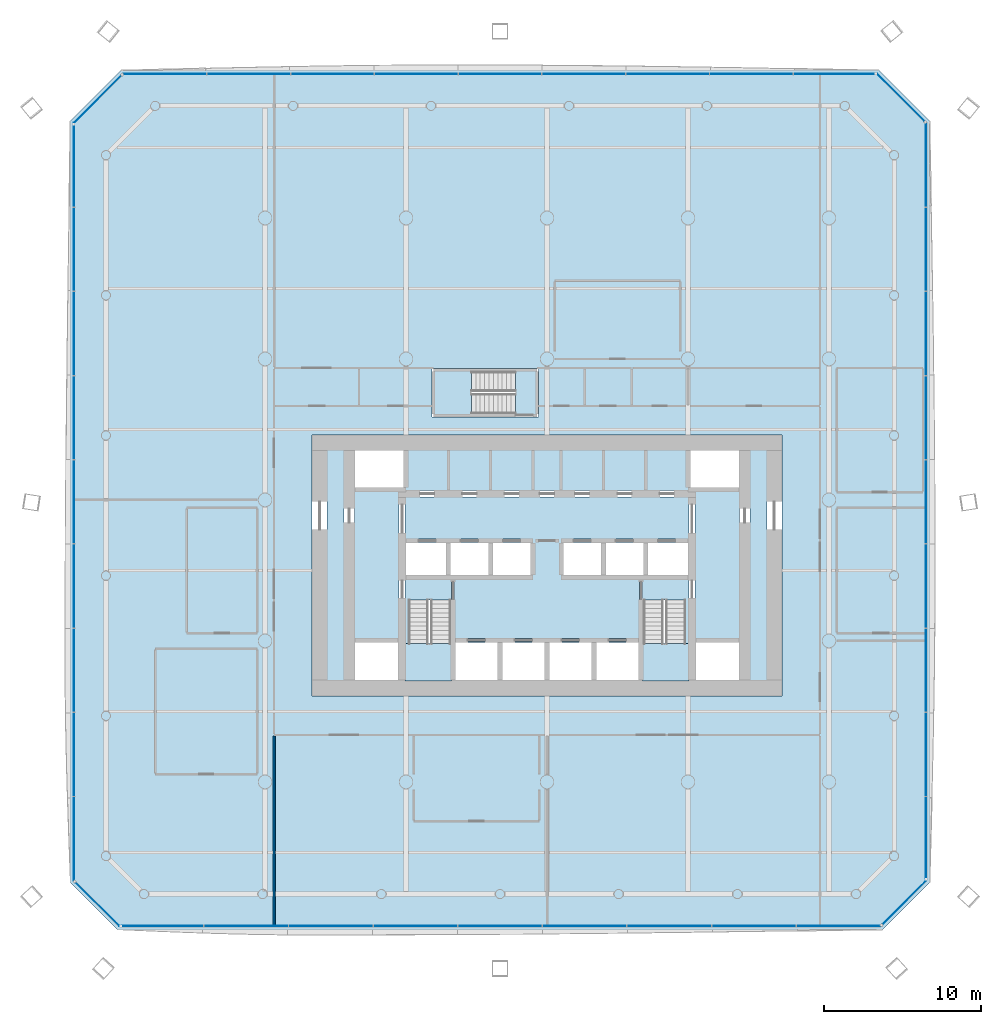
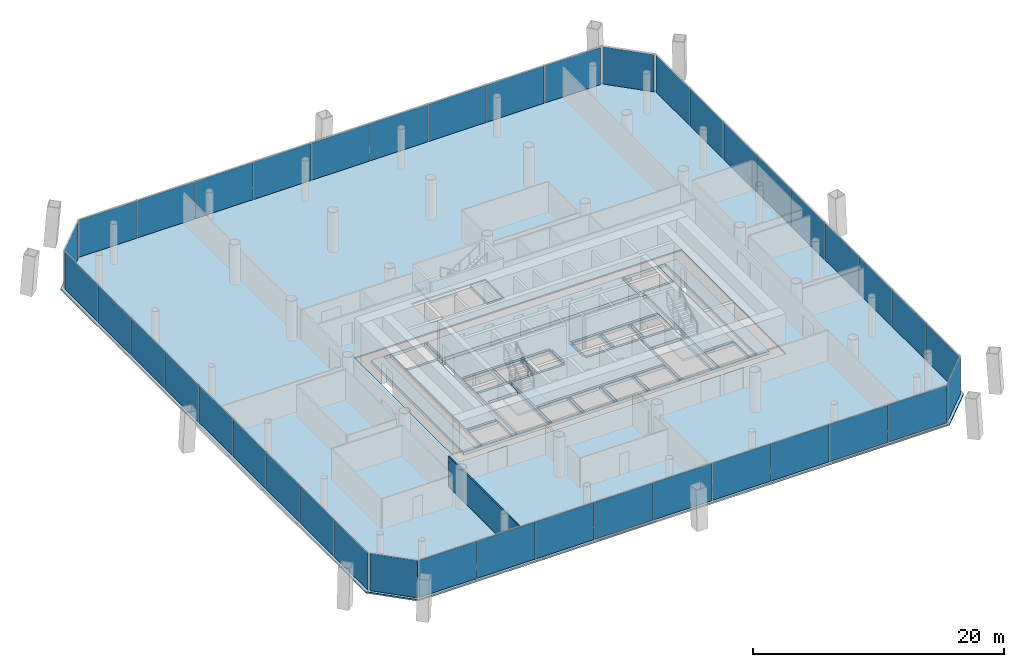
# One storey, part 13 of 22: 40 plates, 6 slabs, 1 wall, 11 elements without a shape of their own.
"""IFC4 building model written with IfcOpenShell, lengths in metres."""

from ifc_helpers import new_model, si_unit, direction, frame, frame_2d, origin, origin_2d, place, context, subcontext, project, spatial, polyline, rectangle, outline, extrude, material, layer, layer_set, type_object, element, aggregate, save


model = new_model("IFC4")

# Units and contexts
model_context = context("Model", 3, precision=1e-05, world=origin(), true_north=direction((0.0, 1.0)))
body_context = subcontext(model_context, "Body", "Model", "MODEL_VIEW")
ifc_project = project(units=[si_unit("LENGTHUNIT", "METRE"), si_unit("AREAUNIT", "SQUARE_METRE"), si_unit("VOLUMEUNIT", "CUBIC_METRE"), si_unit("PLANEANGLEUNIT", "RADIAN"), si_unit("MASSUNIT", "GRAM", prefix="KILO")], contexts=[model_context])

# Site, building, storey
site_placement = place(None, origin())
site = spatial("IfcSite", under=ifc_project, at=site_placement, CompositionType="ELEMENT")
building_placement = place(site_placement, origin())
building = spatial("IfcBuilding", under=site, at=building_placement, Name="Tskaro Facet Tower", CompositionType="ELEMENT")
storey_placement = place(building_placement, frame((0.0, 0.0, 30.300048828125)))
storey = spatial("IfcBuildingStorey", under=building, at=storey_placement, Name="L06", CompositionType="ELEMENT", Elevation=30.300048828125)

# Slab
ifc_material_1 = material(Name="Concrete C30/37", Category="concrete")
ifc_layer_1 = layer(ifc_material_1, 0.139892578125, Name="Concrete C30/37")
ifc_layer_set_1 = layer_set([ifc_layer_1], Name="Concrete C30/37")
slab_type_1 = type_object("IfcSlabType", Name="Composite deck floor slab", PredefinedType="FLOOR", material=ifc_layer_set_1)
slab_1_placement = place(storey_placement, frame((0.0, 0.0, -0.14013671875)))
element("IfcSlab", 1, at=slab_1_placement, inside=storey, type_object=slab_type_1, Name="Floor slab FS3 L06", PredefinedType="FLOOR", context=body_context, shape_type="SweptSolid", body=[
    extrude(outline(polyline([(-27.408935546875, -27.451904296875), (21.408935546875, -27.451904296875), (24.451904296875, -24.408935546875), (24.451904296875, 24.169921875), (21.169921875, 27.451904296875), (-27.169921875, 27.451904296875), (-30.451904296875, 24.169921875), (-30.451904296875, -24.408935546875), (-27.408935546875, -27.451904296875)]), holes=[polyline([(-15.0, -12.5), (15.0, -12.5), (15.0, 4.14990234375), (-15.0, 4.14990234375), (-15.0, -12.5)]), polyline([(-7.35009765625, 5.300048828125), (-0.550048828125, 5.300048828125), (-0.550048828125, 8.39990234375), (-7.35009765625, 8.39990234375), (-7.35009765625, 5.300048828125)])]), origin(), (0.0, 0.0, 1.0), 0.14013671875),
])

# Curtain wall, plates
ifc_material_2 = material(Name="Bronze anodised aluminium 6063-T6", Category="aluminium")
curtain_wall_type = type_object("IfcCurtainWallType", Name="Bronze office curtain wall (FW1)", PredefinedType="NOTDEFINED", material=ifc_material_2)
curtain_wall_1_placement = place(storey_placement, origin())
curtain_wall_1 = element("IfcCurtainWall", 2, at=curtain_wall_1_placement, inside=storey, type_object=curtain_wall_type, Name="FW1 south facet L06", PredefinedType="NOTDEFINED")
ifc_material_3 = material(Name="Bronze tinted glass", Category="glass")
ifc_layer_2 = layer(ifc_material_3, 0.031982421875, Name="Bronze tinted glass")
ifc_layer_set_2 = layer_set([ifc_layer_2], Name="Bronze tinted glass")
plate_type = type_object("IfcPlateType", Name="FW1 bronze-tinted unit glazing 32", PredefinedType="CURTAIN_PANEL", material=ifc_layer_set_2)
plate_1_placement = place(storey_placement, frame((-24.53955078125, -27.201904296875, 0.0), z_axis=(0.0, 0.0, 1.0), x_axis=(1.0, 0.0, 0.0)))
plate_1 = element("IfcPlate", 3, at=plate_1_placement, type_object=plate_type, Name="FW1 south glazing 1.1", PredefinedType="CURTAIN_PANEL", context=body_context, shape_type="SweptSolid", body=[
    extrude(rectangle(XDim=5.211181640625, YDim=0.031982421875, at=origin_2d()), origin(), (0.0, 0.0, 1.0), 3.60009765625),
])
plate_2_placement = place(storey_placement, frame((-19.203369140625, -27.201904296875, 0.0), z_axis=(0.0, 0.0, 1.0), x_axis=(1.0, 0.0, 0.0)))
plate_2 = element("IfcPlate", 4, at=plate_2_placement, type_object=plate_type, Name="FW1 south glazing 2.1", PredefinedType="CURTAIN_PANEL", context=body_context, shape_type="SweptSolid", body=[
    extrude(rectangle(XDim=5.341064453125, YDim=0.031982421875, at=origin_2d()), origin(), (0.0, 0.0, 1.0), 3.60009765625),
])
plate_3_placement = place(storey_placement, frame((-13.80224609375, -27.201904296875, 0.0), z_axis=(0.0, 0.0, 1.0), x_axis=(1.0, 0.0, 0.0)))
plate_3 = element("IfcPlate", 5, at=plate_3_placement, type_object=plate_type, Name="FW1 south glazing 3.1", PredefinedType="CURTAIN_PANEL", context=body_context, shape_type="SweptSolid", body=[
    extrude(rectangle(XDim=5.341064453125, YDim=0.031982421875, at=origin_2d()), origin(), (0.0, 0.0, 1.0), 3.60009765625),
])
plate_4_placement = place(storey_placement, frame((-8.401123046875, -27.201904296875, 0.0), z_axis=(0.0, 0.0, 1.0), x_axis=(1.0, 0.0, 0.0)))
plate_4 = element("IfcPlate", 6, at=plate_4_placement, type_object=plate_type, Name="FW1 south glazing 4.1", PredefinedType="CURTAIN_PANEL", context=body_context, shape_type="SweptSolid", body=[
    extrude(rectangle(XDim=5.341064453125, YDim=0.031982421875, at=origin_2d()), origin(), (0.0, 0.0, 1.0), 3.60009765625),
])
plate_5_placement = place(storey_placement, frame((-3.0, -27.201904296875, 0.0), z_axis=(0.0, 0.0, 1.0), x_axis=(1.0, 0.0, 0.0)))
plate_5 = element("IfcPlate", 7, at=plate_5_placement, type_object=plate_type, Name="FW1 south glazing 5.1", PredefinedType="CURTAIN_PANEL", context=body_context, shape_type="SweptSolid", body=[
    extrude(rectangle(XDim=5.341064453125, YDim=0.031982421875, at=origin_2d()), origin(), (0.0, 0.0, 1.0), 3.60009765625),
])
plate_6_placement = place(storey_placement, frame((2.401123046875, -27.201904296875, 0.0), z_axis=(0.0, 0.0, 1.0), x_axis=(1.0, 0.0, 0.0)))
plate_6 = element("IfcPlate", 8, at=plate_6_placement, type_object=plate_type, Name="FW1 south glazing 6.1", PredefinedType="CURTAIN_PANEL", context=body_context, shape_type="SweptSolid", body=[
    extrude(rectangle(XDim=5.341064453125, YDim=0.031982421875, at=origin_2d()), origin(), (0.0, 0.0, 1.0), 3.60009765625),
])
plate_7_placement = place(storey_placement, frame((7.80224609375, -27.201904296875, 0.0), z_axis=(0.0, 0.0, 1.0), x_axis=(1.0, 0.0, 0.0)))
plate_7 = element("IfcPlate", 9, at=plate_7_placement, type_object=plate_type, Name="FW1 south glazing 7.1", PredefinedType="CURTAIN_PANEL", context=body_context, shape_type="SweptSolid", body=[
    extrude(rectangle(XDim=5.341064453125, YDim=0.031982421875, at=origin_2d()), origin(), (0.0, 0.0, 1.0), 3.60009765625),
])
plate_8_placement = place(storey_placement, frame((13.203369140625, -27.201904296875, 0.0), z_axis=(0.0, 0.0, 1.0), x_axis=(1.0, 0.0, 0.0)))
plate_8 = element("IfcPlate", 10, at=plate_8_placement, type_object=plate_type, Name="FW1 south glazing 8.1", PredefinedType="CURTAIN_PANEL", context=body_context, shape_type="SweptSolid", body=[
    extrude(rectangle(XDim=5.341064453125, YDim=0.031982421875, at=origin_2d()), origin(), (0.0, 0.0, 1.0), 3.60009765625),
])
plate_9_placement = place(storey_placement, frame((18.619384765625, -27.201904296875, 0.0), z_axis=(0.0, 0.0, 1.0), x_axis=(1.0, 0.0, 0.0)))
plate_9 = element("IfcPlate", 11, at=plate_9_placement, type_object=plate_type, Name="FW1 south glazing 9.1", PredefinedType="CURTAIN_PANEL", context=body_context, shape_type="SweptSolid", body=[
    extrude(rectangle(XDim=5.37109375, YDim=0.031982421875, at=origin_2d()), origin(), (0.0, 0.0, 1.0), 3.60009765625),
])
aggregate(curtain_wall_1, [plate_1, plate_2, plate_3, plate_4, plate_5, plate_6, plate_7, plate_8, plate_9])

# Curtain wall, plate
curtain_wall_2_placement = place(storey_placement, origin())
curtain_wall_2 = element("IfcCurtainWall", 12, at=curtain_wall_2_placement, inside=storey, type_object=curtain_wall_type, Name="FW1 south-east facet L06", PredefinedType="NOTDEFINED")
plate_10_placement = place(storey_placement, frame((22.81005859375, -25.697021484375, 0.0), z_axis=(0.0, 0.0, 1.0), x_axis=(0.707106781187, 0.707106781187, 0.0)))
plate_10 = element("IfcPlate", 13, at=plate_10_placement, type_object=plate_type, Name="FW1 south-east glazing 1.1", PredefinedType="CURTAIN_PANEL", context=body_context, shape_type="SweptSolid", body=[
    extrude(rectangle(XDim=3.93701171875, YDim=0.031982421875, at=origin_2d()), origin(), (0.0, 0.0, 1.0), 3.60009765625),
])
aggregate(curtain_wall_2, [plate_10])

# Curtain wall, plates
curtain_wall_3_placement = place(storey_placement, origin())
curtain_wall_3 = element("IfcCurtainWall", 14, at=curtain_wall_3_placement, inside=storey, type_object=curtain_wall_type, Name="FW1 east facet L06", PredefinedType="NOTDEFINED")
plate_11_placement = place(storey_placement, frame((24.201904296875, -21.552734375, 0.0), z_axis=(0.0, 0.0, 1.0), x_axis=(0.0, 1.0, 0.0)))
plate_11 = element("IfcPlate", 15, at=plate_11_placement, type_object=plate_type, Name="FW1 east glazing 1.1", PredefinedType="CURTAIN_PANEL", context=body_context, shape_type="SweptSolid", body=[
    extrude(rectangle(XDim=5.1845703125, YDim=0.031982421875, at=origin_2d()), origin(), (0.0, 0.0, 1.0), 3.60009765625),
])
plate_12_placement = place(storey_placement, frame((24.201904296875, -16.2431640625, 0.0), z_axis=(0.0, 0.0, 1.0), x_axis=(0.0, 1.0, 0.0)))
plate_12 = element("IfcPlate", 16, at=plate_12_placement, type_object=plate_type, Name="FW1 east glazing 2.1", PredefinedType="CURTAIN_PANEL", context=body_context, shape_type="SweptSolid", body=[
    extrude(rectangle(XDim=5.314453125, YDim=0.031982421875, at=origin_2d()), origin(), (0.0, 0.0, 1.0), 3.60009765625),
])
plate_13_placement = place(storey_placement, frame((24.201904296875, -10.86865234375, 0.0), z_axis=(0.0, 0.0, 1.0), x_axis=(0.0, 1.0, 0.0)))
plate_13 = element("IfcPlate", 17, at=plate_13_placement, type_object=plate_type, Name="FW1 east glazing 3.1", PredefinedType="CURTAIN_PANEL", context=body_context, shape_type="SweptSolid", body=[
    extrude(rectangle(XDim=5.314453125, YDim=0.031982421875, at=origin_2d()), origin(), (0.0, 0.0, 1.0), 3.60009765625),
])
plate_14_placement = place(storey_placement, frame((24.201904296875, -5.494140625, 0.0), z_axis=(0.0, 0.0, 1.0), x_axis=(0.0, 1.0, 0.0)))
plate_14 = element("IfcPlate", 18, at=plate_14_placement, type_object=plate_type, Name="FW1 east glazing 4.1", PredefinedType="CURTAIN_PANEL", context=body_context, shape_type="SweptSolid", body=[
    extrude(rectangle(XDim=5.314453125, YDim=0.031982421875, at=origin_2d()), origin(), (0.0, 0.0, 1.0), 3.60009765625),
])
plate_15_placement = place(storey_placement, frame((24.201904296875, -0.119384765625, 0.0), z_axis=(0.0, 0.0, 1.0), x_axis=(0.0, 1.0, 0.0)))
plate_15 = element("IfcPlate", 19, at=plate_15_placement, type_object=plate_type, Name="FW1 east glazing 5.1", PredefinedType="CURTAIN_PANEL", context=body_context, shape_type="SweptSolid", body=[
    extrude(rectangle(XDim=5.314453125, YDim=0.031982421875, at=origin_2d()), origin(), (0.0, 0.0, 1.0), 3.60009765625),
])
plate_16_placement = place(storey_placement, frame((24.201904296875, 5.255126953125, 0.0), z_axis=(0.0, 0.0, 1.0), x_axis=(0.0, 1.0, 0.0)))
plate_16 = element("IfcPlate", 20, at=plate_16_placement, type_object=plate_type, Name="FW1 east glazing 6.1", PredefinedType="CURTAIN_PANEL", context=body_context, shape_type="SweptSolid", body=[
    extrude(rectangle(XDim=5.314453125, YDim=0.031982421875, at=origin_2d()), origin(), (0.0, 0.0, 1.0), 3.60009765625),
])
plate_17_placement = place(storey_placement, frame((24.201904296875, 10.629638671875, 0.0), z_axis=(0.0, 0.0, 1.0), x_axis=(0.0, 1.0, 0.0)))
plate_17 = element("IfcPlate", 21, at=plate_17_placement, type_object=plate_type, Name="FW1 east glazing 7.1", PredefinedType="CURTAIN_PANEL", context=body_context, shape_type="SweptSolid", body=[
    extrude(rectangle(XDim=5.314453125, YDim=0.031982421875, at=origin_2d()), origin(), (0.0, 0.0, 1.0), 3.60009765625),
])
plate_18_placement = place(storey_placement, frame((24.201904296875, 16.004150390625, 0.0), z_axis=(0.0, 0.0, 1.0), x_axis=(0.0, 1.0, 0.0)))
plate_18 = element("IfcPlate", 22, at=plate_18_placement, type_object=plate_type, Name="FW1 east glazing 8.1", PredefinedType="CURTAIN_PANEL", context=body_context, shape_type="SweptSolid", body=[
    extrude(rectangle(XDim=5.314453125, YDim=0.031982421875, at=origin_2d()), origin(), (0.0, 0.0, 1.0), 3.60009765625),
])
plate_19_placement = place(storey_placement, frame((24.201904296875, 21.393798828125, 0.0), z_axis=(0.0, 0.0, 1.0), x_axis=(0.0, 1.0, 0.0)))
plate_19 = element("IfcPlate", 23, at=plate_19_placement, type_object=plate_type, Name="FW1 east glazing 9.1", PredefinedType="CURTAIN_PANEL", context=body_context, shape_type="SweptSolid", body=[
    extrude(rectangle(XDim=5.344482421875, YDim=0.031982421875, at=origin_2d()), origin(), (0.0, 0.0, 1.0), 3.60009765625),
])
aggregate(curtain_wall_3, [plate_11, plate_12, plate_13, plate_14, plate_15, plate_16, plate_17, plate_18, plate_19])

# Curtain wall, plate
curtain_wall_4_placement = place(storey_placement, origin())
curtain_wall_4 = element("IfcCurtainWall", 24, at=curtain_wall_4_placement, inside=storey, type_object=curtain_wall_type, Name="FW1 north-east facet L06", PredefinedType="NOTDEFINED")
plate_20_placement = place(storey_placement, frame((22.577392578125, 25.690673828125, 0.0), z_axis=(0.0, 0.0, 1.0), x_axis=(-0.707106781187, 0.707106781187, 0.0)))
plate_20 = element("IfcPlate", 25, at=plate_20_placement, type_object=plate_type, Name="FW1 north-east glazing 1.1", PredefinedType="CURTAIN_PANEL", context=body_context, shape_type="SweptSolid", body=[
    extrude(rectangle(XDim=4.27490234375, YDim=0.031982421875, at=origin_2d()), origin(), (0.0, 0.0, 1.0), 3.60009765625),
])
aggregate(curtain_wall_4, [plate_20])

# Curtain wall, plates
curtain_wall_5_placement = place(storey_placement, origin())
curtain_wall_5 = element("IfcCurtainWall", 26, at=curtain_wall_5_placement, inside=storey, type_object=curtain_wall_type, Name="FW1 north facet L06", PredefinedType="NOTDEFINED")
plate_21_placement = place(storey_placement, frame((18.326904296875, 27.201904296875, 0.0), z_axis=(0.0, 0.0, 1.0), x_axis=(-1.0, 0.0, 0.0)))
plate_21 = element("IfcPlate", 27, at=plate_21_placement, type_object=plate_type, Name="FW1 north glazing 1.1", PredefinedType="CURTAIN_PANEL", context=body_context, shape_type="SweptSolid", body=[
    extrude(rectangle(XDim=5.157958984375, YDim=0.031982421875, at=origin_2d()), origin(), (0.0, 0.0, 1.0), 3.60009765625),
])
plate_22_placement = place(storey_placement, frame((13.0439453125, 27.201904296875, 0.0), z_axis=(0.0, 0.0, 1.0), x_axis=(-1.0, 0.0, 0.0)))
plate_22 = element("IfcPlate", 28, at=plate_22_placement, type_object=plate_type, Name="FW1 north glazing 2.1", PredefinedType="CURTAIN_PANEL", context=body_context, shape_type="SweptSolid", body=[
    extrude(rectangle(XDim=5.2880859375, YDim=0.031982421875, at=origin_2d()), origin(), (0.0, 0.0, 1.0), 3.60009765625),
])
plate_23_placement = place(storey_placement, frame((7.696044921875, 27.201904296875, 0.0), z_axis=(0.0, 0.0, 1.0), x_axis=(-1.0, 0.0, 0.0)))
plate_23 = element("IfcPlate", 29, at=plate_23_placement, type_object=plate_type, Name="FW1 north glazing 3.1", PredefinedType="CURTAIN_PANEL", context=body_context, shape_type="SweptSolid", body=[
    extrude(rectangle(XDim=5.2880859375, YDim=0.031982421875, at=origin_2d()), origin(), (0.0, 0.0, 1.0), 3.60009765625),
])
plate_24_placement = place(storey_placement, frame((2.347900390625, 27.201904296875, 0.0), z_axis=(0.0, 0.0, 1.0), x_axis=(-1.0, 0.0, 0.0)))
plate_24 = element("IfcPlate", 30, at=plate_24_placement, type_object=plate_type, Name="FW1 north glazing 4.1", PredefinedType="CURTAIN_PANEL", context=body_context, shape_type="SweptSolid", body=[
    extrude(rectangle(XDim=5.2880859375, YDim=0.031982421875, at=origin_2d()), origin(), (0.0, 0.0, 1.0), 3.60009765625),
])
plate_25_placement = place(storey_placement, frame((-3.0, 27.201904296875, 0.0), z_axis=(0.0, 0.0, 1.0), x_axis=(-1.0, 0.0, 0.0)))
plate_25 = element("IfcPlate", 31, at=plate_25_placement, type_object=plate_type, Name="FW1 north glazing 5.1", PredefinedType="CURTAIN_PANEL", context=body_context, shape_type="SweptSolid", body=[
    extrude(rectangle(XDim=5.2880859375, YDim=0.031982421875, at=origin_2d()), origin(), (0.0, 0.0, 1.0), 3.60009765625),
])
plate_26_placement = place(storey_placement, frame((-8.347900390625, 27.201904296875, 0.0), z_axis=(0.0, 0.0, 1.0), x_axis=(-1.0, 0.0, 0.0)))
plate_26 = element("IfcPlate", 32, at=plate_26_placement, type_object=plate_type, Name="FW1 north glazing 6.1", PredefinedType="CURTAIN_PANEL", context=body_context, shape_type="SweptSolid", body=[
    extrude(rectangle(XDim=5.2880859375, YDim=0.031982421875, at=origin_2d()), origin(), (0.0, 0.0, 1.0), 3.60009765625),
])
plate_27_placement = place(storey_placement, frame((-13.696044921875, 27.201904296875, 0.0), z_axis=(0.0, 0.0, 1.0), x_axis=(-1.0, 0.0, 0.0)))
plate_27 = element("IfcPlate", 33, at=plate_27_placement, type_object=plate_type, Name="FW1 north glazing 7.1", PredefinedType="CURTAIN_PANEL", context=body_context, shape_type="SweptSolid", body=[
    extrude(rectangle(XDim=5.2880859375, YDim=0.031982421875, at=origin_2d()), origin(), (0.0, 0.0, 1.0), 3.60009765625),
])
plate_28_placement = place(storey_placement, frame((-19.0439453125, 27.201904296875, 0.0), z_axis=(0.0, 0.0, 1.0), x_axis=(-1.0, 0.0, 0.0)))
plate_28 = element("IfcPlate", 34, at=plate_28_placement, type_object=plate_type, Name="FW1 north glazing 8.1", PredefinedType="CURTAIN_PANEL", context=body_context, shape_type="SweptSolid", body=[
    extrude(rectangle(XDim=5.2880859375, YDim=0.031982421875, at=origin_2d()), origin(), (0.0, 0.0, 1.0), 3.60009765625),
])
plate_29_placement = place(storey_placement, frame((-24.406982421875, 27.201904296875, 0.0), z_axis=(0.0, 0.0, 1.0), x_axis=(-1.0, 0.0, 0.0)))
plate_29 = element("IfcPlate", 35, at=plate_29_placement, type_object=plate_type, Name="FW1 north glazing 9.1", PredefinedType="CURTAIN_PANEL", context=body_context, shape_type="SweptSolid", body=[
    extrude(rectangle(XDim=5.318115234375, YDim=0.031982421875, at=origin_2d()), origin(), (0.0, 0.0, 1.0), 3.60009765625),
])
aggregate(curtain_wall_5, [plate_21, plate_22, plate_23, plate_24, plate_25, plate_26, plate_27, plate_28, plate_29])

# Curtain wall, plate
curtain_wall_6_placement = place(storey_placement, origin())
curtain_wall_6 = element("IfcCurtainWall", 36, at=curtain_wall_6_placement, inside=storey, type_object=curtain_wall_type, Name="FW1 north-west facet L06", PredefinedType="NOTDEFINED")
plate_30_placement = place(storey_placement, frame((-28.690673828125, 25.577392578125, 0.0), z_axis=(0.0, 0.0, 1.0), x_axis=(-0.707106781187, -0.707106781187, 0.0)))
plate_30 = element("IfcPlate", 37, at=plate_30_placement, type_object=plate_type, Name="FW1 north-west glazing 1.1", PredefinedType="CURTAIN_PANEL", context=body_context, shape_type="SweptSolid", body=[
    extrude(rectangle(XDim=4.27490234375, YDim=0.031982421875, at=origin_2d()), origin(), (0.0, 0.0, 1.0), 3.60009765625),
])
aggregate(curtain_wall_6, [plate_30])

# Curtain wall, plates
curtain_wall_7_placement = place(storey_placement, origin())
curtain_wall_7 = element("IfcCurtainWall", 38, at=curtain_wall_7_placement, inside=storey, type_object=curtain_wall_type, Name="FW1 west facet L06", PredefinedType="NOTDEFINED")
plate_31_placement = place(storey_placement, frame((-30.201904296875, 21.313720703125, 0.0), z_axis=(0.0, 0.0, 1.0), x_axis=(0.0, -1.0, 0.0)))
plate_31 = element("IfcPlate", 39, at=plate_31_placement, type_object=plate_type, Name="FW1 west glazing 1.1", PredefinedType="CURTAIN_PANEL", context=body_context, shape_type="SweptSolid", body=[
    extrude(rectangle(XDim=5.1845703125, YDim=0.031982421875, at=origin_2d()), origin(), (0.0, 0.0, 1.0), 3.60009765625),
])
plate_32_placement = place(storey_placement, frame((-30.201904296875, 16.004150390625, 0.0), z_axis=(0.0, 0.0, 1.0), x_axis=(0.0, -1.0, 0.0)))
plate_32 = element("IfcPlate", 40, at=plate_32_placement, type_object=plate_type, Name="FW1 west glazing 2.1", PredefinedType="CURTAIN_PANEL", context=body_context, shape_type="SweptSolid", body=[
    extrude(rectangle(XDim=5.314453125, YDim=0.031982421875, at=origin_2d()), origin(), (0.0, 0.0, 1.0), 3.60009765625),
])
plate_33_placement = place(storey_placement, frame((-30.201904296875, 10.629638671875, 0.0), z_axis=(0.0, 0.0, 1.0), x_axis=(0.0, -1.0, 0.0)))
plate_33 = element("IfcPlate", 41, at=plate_33_placement, type_object=plate_type, Name="FW1 west glazing 3.1", PredefinedType="CURTAIN_PANEL", context=body_context, shape_type="SweptSolid", body=[
    extrude(rectangle(XDim=5.314453125, YDim=0.031982421875, at=origin_2d()), origin(), (0.0, 0.0, 1.0), 3.60009765625),
])
plate_34_placement = place(storey_placement, frame((-30.201904296875, 5.255126953125, 0.0), z_axis=(0.0, 0.0, 1.0), x_axis=(0.0, -1.0, 0.0)))
plate_34 = element("IfcPlate", 42, at=plate_34_placement, type_object=plate_type, Name="FW1 west glazing 4.1", PredefinedType="CURTAIN_PANEL", context=body_context, shape_type="SweptSolid", body=[
    extrude(rectangle(XDim=5.314453125, YDim=0.031982421875, at=origin_2d()), origin(), (0.0, 0.0, 1.0), 3.60009765625),
])
plate_35_placement = place(storey_placement, frame((-30.201904296875, -0.119384765625, 0.0), z_axis=(0.0, 0.0, 1.0), x_axis=(0.0, -1.0, 0.0)))
plate_35 = element("IfcPlate", 43, at=plate_35_placement, type_object=plate_type, Name="FW1 west glazing 5.1", PredefinedType="CURTAIN_PANEL", context=body_context, shape_type="SweptSolid", body=[
    extrude(rectangle(XDim=5.314453125, YDim=0.031982421875, at=origin_2d()), origin(), (0.0, 0.0, 1.0), 3.60009765625),
])
plate_36_placement = place(storey_placement, frame((-30.201904296875, -5.494140625, 0.0), z_axis=(0.0, 0.0, 1.0), x_axis=(0.0, -1.0, 0.0)))
plate_36 = element("IfcPlate", 44, at=plate_36_placement, type_object=plate_type, Name="FW1 west glazing 6.1", PredefinedType="CURTAIN_PANEL", context=body_context, shape_type="SweptSolid", body=[
    extrude(rectangle(XDim=5.314453125, YDim=0.031982421875, at=origin_2d()), origin(), (0.0, 0.0, 1.0), 3.60009765625),
])
plate_37_placement = place(storey_placement, frame((-30.201904296875, -10.86865234375, 0.0), z_axis=(0.0, 0.0, 1.0), x_axis=(0.0, -1.0, 0.0)))
plate_37 = element("IfcPlate", 45, at=plate_37_placement, type_object=plate_type, Name="FW1 west glazing 7.1", PredefinedType="CURTAIN_PANEL", context=body_context, shape_type="SweptSolid", body=[
    extrude(rectangle(XDim=5.314453125, YDim=0.031982421875, at=origin_2d()), origin(), (0.0, 0.0, 1.0), 3.60009765625),
])
plate_38_placement = place(storey_placement, frame((-30.201904296875, -16.2431640625, 0.0), z_axis=(0.0, 0.0, 1.0), x_axis=(0.0, -1.0, 0.0)))
plate_38 = element("IfcPlate", 46, at=plate_38_placement, type_object=plate_type, Name="FW1 west glazing 8.1", PredefinedType="CURTAIN_PANEL", context=body_context, shape_type="SweptSolid", body=[
    extrude(rectangle(XDim=5.314453125, YDim=0.031982421875, at=origin_2d()), origin(), (0.0, 0.0, 1.0), 3.60009765625),
])
plate_39_placement = place(storey_placement, frame((-30.201904296875, -21.6328125, 0.0), z_axis=(0.0, 0.0, 1.0), x_axis=(0.0, -1.0, 0.0)))
plate_39 = element("IfcPlate", 47, at=plate_39_placement, type_object=plate_type, Name="FW1 west glazing 9.1", PredefinedType="CURTAIN_PANEL", context=body_context, shape_type="SweptSolid", body=[
    extrude(rectangle(XDim=5.344482421875, YDim=0.031982421875, at=origin_2d()), origin(), (0.0, 0.0, 1.0), 3.60009765625),
])
aggregate(curtain_wall_7, [plate_31, plate_32, plate_33, plate_34, plate_35, plate_36, plate_37, plate_38, plate_39])

# Curtain wall, plate
curtain_wall_8_placement = place(storey_placement, origin())
curtain_wall_8 = element("IfcCurtainWall", 48, at=curtain_wall_8_placement, inside=storey, type_object=curtain_wall_type, Name="FW1 south-west facet L06", PredefinedType="NOTDEFINED")
plate_40_placement = place(storey_placement, frame((-28.697021484375, -25.81005859375, 0.0), z_axis=(0.0, 0.0, 1.0), x_axis=(0.707106781187, -0.707106781187, 0.0)))
plate_40 = element("IfcPlate", 49, at=plate_40_placement, type_object=plate_type, Name="FW1 south-west glazing 1.1", PredefinedType="CURTAIN_PANEL", context=body_context, shape_type="SweptSolid", body=[
    extrude(rectangle(XDim=3.93701171875, YDim=0.031982421875, at=origin_2d()), origin(), (0.0, 0.0, 1.0), 3.60009765625),
])
aggregate(curtain_wall_8, [plate_40])

# Stair, slab
ifc_material_4 = material(Name="Concrete C40/50", Category="concrete")
stair_type = type_object("IfcStairType", Name="ST-TWR", PredefinedType="HALF_TURN_STAIR", material=ifc_material_4)
stair_1_placement = place(storey_placement, origin())
stair_1 = element("IfcStair", 50, at=stair_1_placement, inside=storey, type_object=stair_type, Name="L06 Exit stair 1", PredefinedType="HALF_TURN_STAIR")
ifc_layer_3 = layer(ifc_material_4, 0.199951171875, Name="Concrete C40/50")
ifc_layer_set_3 = layer_set([ifc_layer_3], Name="Concrete C40/50")
slab_type_2 = type_object("IfcSlabType", Name="SL-LANDING", PredefinedType="LANDING", material=ifc_layer_set_3)
slab_2_placement = place(storey_placement, frame((0.0, 0.0, 1.75)))
slab_2 = element("IfcSlab", 51, at=slab_2_placement, type_object=slab_type_2, Name="ST-1 landing 1", PredefinedType="LANDING", context=body_context, shape_type="SweptSolid", body=[
    extrude(outline(polyline([(-9.050048828125, -11.550048828125), (-6.10009765625, -11.550048828125), (-6.10009765625, -9.175048828125), (-9.050048828125, -9.175048828125), (-9.050048828125, -11.550048828125)])), origin(), (0.0, 0.0, 1.0), 0.199951171875),
])
aggregate(stair_1, [slab_2])

stair_2_placement = place(storey_placement, origin())
stair_2 = element("IfcStair", 52, at=stair_2_placement, inside=storey, type_object=stair_type, Name="L06 Exit stair 2", PredefinedType="HALF_TURN_STAIR")
slab_3_placement = place(storey_placement, frame((0.0, 0.0, 1.75)))
slab_3 = element("IfcSlab", 53, at=slab_3_placement, type_object=slab_type_2, Name="ST-2 landing 1", PredefinedType="LANDING", context=body_context, shape_type="SweptSolid", body=[
    extrude(outline(polyline([(6.10009765625, -11.550048828125), (9.050048828125, -11.550048828125), (9.050048828125, -9.175048828125), (6.10009765625, -9.175048828125), (6.10009765625, -11.550048828125)])), origin(), (0.0, 0.0, 1.0), 0.199951171875),
])
aggregate(stair_2, [slab_3])

stair_3_placement = place(storey_placement, origin())
stair_3 = element("IfcStair", 54, at=stair_3_placement, inside=storey, type_object=stair_type, Name="L06 Exit stair 3", PredefinedType="HALF_TURN_STAIR")
slab_4_placement = place(storey_placement, frame((0.0, 0.0, 1.75)))
slab_4 = element("IfcSlab", 55, at=slab_4_placement, type_object=slab_type_2, Name="ST-3 landing 1", PredefinedType="LANDING", context=body_context, shape_type="SweptSolid", body=[
    extrude(outline(polyline([(-7.199951171875, 5.449951171875), (-4.824951171875, 5.449951171875), (-4.824951171875, 8.25), (-7.199951171875, 8.25), (-7.199951171875, 5.449951171875)])), origin(), (0.0, 0.0, 1.0), 0.199951171875),
])
aggregate(stair_3, [slab_4])

# Slabs
ifc_material_5 = material(Name="Concrete C60/75", Category="concrete")
ifc_layer_4 = layer(ifc_material_5, 0.300048828125, Name="Concrete C60/75")
ifc_layer_set_4 = layer_set([ifc_layer_4], Name="Concrete C60/75")
slab_type_3 = type_object("IfcSlabType", Name="SLAB-CORE", PredefinedType="FLOOR", material=ifc_layer_set_4)
slab_5_placement = place(storey_placement, frame((0.0, 0.0, -0.300048828125)))
element("IfcSlab", 56, at=slab_5_placement, inside=storey, type_object=slab_type_3, Name="Core floor slab 1", PredefinedType="FLOOR", context=body_context, shape_type="SweptSolid", body=[
    extrude(outline(polyline([(-14.050048828125, 3.199951171875), (14.050048828125, 3.199951171875), (14.050048828125, 3.10009765625), (14.050048828125, -11.449951171875), (14.050048828125, -11.550048828125), (-14.050048828125, -11.550048828125), (-14.050048828125, -11.449951171875), (-14.050048828125, 3.10009765625), (-14.050048828125, 3.199951171875)]), holes=[polyline([(-9.5, -9.10009765625), (-12.25, -9.10009765625), (-12.25, -11.5), (-9.5, -11.5), (-9.5, -9.10009765625)]), polyline([(-3.14990234375, -9.10009765625), (-5.85009765625, -9.10009765625), (-5.85009765625, -11.5), (-3.14990234375, -11.5), (-3.14990234375, -9.10009765625)]), polyline([(-12.199951171875, -8.85009765625), (-12.199951171875, -9.050048828125), (-9.550048828125, -9.050048828125), (-9.550048828125, -8.85009765625), (-12.199951171875, -8.85009765625)]), polyline([(-6.10009765625, -11.449951171875), (-5.89990234375, -11.449951171875), (-5.89990234375, -5.14990234375), (-6.10009765625, -5.14990234375), (-6.10009765625, -11.449951171875)]), polyline([(-9.449951171875, 0.10009765625), (-9.449951171875, -11.449951171875), (-9.050048828125, -11.449951171875), (-9.050048828125, 0.10009765625), (-9.449951171875, 0.10009765625)]), polyline([(-8.949951171875, -4.85009765625), (-8.949951171875, -5.050048828125), (-0.949951171875, -5.050048828125), (-0.949951171875, -4.85009765625), (-8.949951171875, -4.85009765625)]), polyline([(-12.949951171875, -11.449951171875), (-12.300048828125, -11.449951171875), (-12.300048828125, 3.10009765625), (-12.949951171875, 3.10009765625), (-12.949951171875, -11.449951171875)]), polyline([(-6.449951171875, -4.800048828125), (-6.449951171875, -2.75), (-9.0, -2.75), (-9.0, -4.800048828125), (-6.449951171875, -4.800048828125)]), polyline([(-3.75, -2.75), (-6.14990234375, -2.75), (-6.14990234375, -4.800048828125), (-3.75, -4.800048828125), (-3.75, -2.75)]), polyline([(-6.39990234375, -2.800048828125), (-6.39990234375, -4.75), (-6.199951171875, -4.75), (-6.199951171875, -2.800048828125), (-6.39990234375, -2.800048828125)]), polyline([(-8.949951171875, -2.5), (-8.949951171875, -2.699951171875), (-0.949951171875, -2.699951171875), (-0.949951171875, -2.5), (-8.949951171875, -2.5)]), polyline([(9.449951171875, 0.550048828125), (12.199951171875, 0.550048828125), (12.199951171875, 0.75), (9.050048828125, 0.75), (9.050048828125, 0.60009765625), (-9.050048828125, 0.60009765625), (-9.050048828125, 0.75), (-12.199951171875, 0.75), (-12.199951171875, 0.550048828125), (-9.449951171875, 0.550048828125), (-9.449951171875, 0.199951171875), (9.449951171875, 0.199951171875), (9.449951171875, 0.550048828125)]), polyline([(-9.10009765625, 3.10009765625), (-9.10009765625, 0.85009765625), (-8.89990234375, 0.85009765625), (-8.89990234375, 3.10009765625), (-9.10009765625, 3.10009765625)]), polyline([(-9.14990234375, 0.800048828125), (-9.14990234375, 3.14990234375), (-12.25, 3.14990234375), (-12.25, 0.800048828125), (-9.14990234375, 0.800048828125)]), polyline([(2.89990234375, -11.449951171875), (3.10009765625, -11.449951171875), (3.10009765625, -9.14990234375), (2.89990234375, -9.14990234375), (2.89990234375, -11.449951171875)]), polyline([(-3.10009765625, -9.14990234375), (-3.10009765625, -11.449951171875), (-2.89990234375, -11.449951171875), (-2.89990234375, -9.14990234375), (-3.10009765625, -9.14990234375)]), polyline([(2.85009765625, -9.10009765625), (0.14990234375, -9.10009765625), (0.14990234375, -11.5), (2.85009765625, -11.5), (2.85009765625, -9.10009765625)]), polyline([(-0.14990234375, -9.10009765625), (-2.85009765625, -9.10009765625), (-2.85009765625, -11.5), (-0.14990234375, -11.5), (-0.14990234375, -9.10009765625)]), polyline([(-0.10009765625, -9.14990234375), (-0.10009765625, -11.449951171875), (0.10009765625, -11.449951171875), (0.10009765625, -9.14990234375), (-0.10009765625, -9.14990234375)]), polyline([(-5.800048828125, -8.85009765625), (-5.800048828125, -9.050048828125), (5.800048828125, -9.050048828125), (5.800048828125, -8.85009765625), (-5.800048828125, -8.85009765625)]), polyline([(-1.0, -2.800048828125), (-1.0, -4.75), (-0.800048828125, -4.75), (-0.800048828125, -2.800048828125), (-1.0, -2.800048828125)]), polyline([(0.800048828125, -4.75), (1.0, -4.75), (1.0, -2.800048828125), (0.800048828125, -2.800048828125), (0.800048828125, -4.75)]), polyline([(-1.050048828125, -2.75), (-3.449951171875, -2.75), (-3.449951171875, -4.800048828125), (-1.050048828125, -4.800048828125), (-1.050048828125, -2.75)]), polyline([(1.050048828125, -2.75), (1.050048828125, -4.800048828125), (3.449951171875, -4.800048828125), (3.449951171875, -2.75), (1.050048828125, -2.75)]), polyline([(-3.699951171875, -4.75), (-3.5, -4.75), (-3.5, -2.800048828125), (-3.699951171875, -2.800048828125), (-3.699951171875, -4.75)]), polyline([(3.14990234375, -9.10009765625), (3.14990234375, -11.5), (5.85009765625, -11.5), (5.85009765625, -9.10009765625), (3.14990234375, -9.10009765625)]), polyline([(12.25, -11.5), (12.25, -9.10009765625), (9.5, -9.10009765625), (9.5, -11.5), (12.25, -11.5)]), polyline([(9.550048828125, -8.85009765625), (9.550048828125, -9.050048828125), (12.199951171875, -9.050048828125), (12.199951171875, -8.85009765625), (9.550048828125, -8.85009765625)]), polyline([(5.89990234375, -11.449951171875), (6.10009765625, -11.449951171875), (6.10009765625, -5.14990234375), (5.89990234375, -5.14990234375), (5.89990234375, -11.449951171875)]), polyline([(9.050048828125, 0.10009765625), (9.050048828125, -11.449951171875), (9.449951171875, -11.449951171875), (9.449951171875, 0.10009765625), (9.050048828125, 0.10009765625)]), polyline([(0.949951171875, -4.85009765625), (0.949951171875, -5.050048828125), (8.949951171875, -5.050048828125), (8.949951171875, -4.85009765625), (0.949951171875, -4.85009765625)]), polyline([(12.300048828125, -11.449951171875), (12.949951171875, -11.449951171875), (12.949951171875, 3.10009765625), (12.300048828125, 3.10009765625), (12.300048828125, -11.449951171875)]), polyline([(3.5, -2.800048828125), (3.5, -4.75), (3.699951171875, -4.75), (3.699951171875, -2.800048828125), (3.5, -2.800048828125)]), polyline([(6.14990234375, -2.75), (3.75, -2.75), (3.75, -4.800048828125), (6.14990234375, -4.800048828125), (6.14990234375, -2.75)]), polyline([(6.199951171875, -2.800048828125), (6.199951171875, -4.75), (6.39990234375, -4.75), (6.39990234375, -2.800048828125), (6.199951171875, -2.800048828125)]), polyline([(6.449951171875, -2.75), (6.449951171875, -4.800048828125), (9.0, -4.800048828125), (9.0, -2.75), (6.449951171875, -2.75)]), polyline([(0.949951171875, -2.5), (0.949951171875, -2.699951171875), (8.949951171875, -2.699951171875), (8.949951171875, -2.5), (0.949951171875, -2.5)]), polyline([(8.89990234375, 3.10009765625), (8.89990234375, 0.85009765625), (9.10009765625, 0.85009765625), (9.10009765625, 3.10009765625), (8.89990234375, 3.10009765625)]), polyline([(9.14990234375, 0.800048828125), (12.25, 0.800048828125), (12.25, 3.14990234375), (9.14990234375, 3.14990234375), (9.14990234375, 0.800048828125)]), polyline([(-8.85009765625, -11.5), (-6.14990234375, -11.5), (-6.14990234375, -6.39501953125), (-8.85009765625, -6.39501953125), (-8.85009765625, -11.5)]), polyline([(6.14990234375, -6.39501953125), (6.14990234375, -11.5), (8.85009765625, -11.5), (8.85009765625, -6.39501953125), (6.14990234375, -6.39501953125)])]), origin(), (0.0, 0.0, 1.0), 0.300048828125),
])
slab_6_placement = place(storey_placement, frame((0.0, 0.0, -0.300048828125)))
element("IfcSlab", 57, at=slab_6_placement, inside=storey, type_object=slab_type_3, Name="Stair 3 floor landing 1", PredefinedType="FLOOR", context=body_context, shape_type="SweptSolid", body=[
    extrude(outline(polyline([(-2.02490234375, 5.449951171875), (-0.699951171875, 5.449951171875), (-0.699951171875, 8.25), (-2.02490234375, 8.25), (-2.02490234375, 5.449951171875)])), origin(), (0.0, 0.0, 1.0), 0.300048828125),
])

# Wall
ifc_material_6 = material(Name="Gypsum board on steel studs", Category="steel")
ifc_layer_5 = layer(ifc_material_6, 0.125, Name="Gypsum board on steel studs")
ifc_layer_set_5 = layer_set([ifc_layer_5], Name="Gypsum board on steel studs")
wall_type = type_object("IfcWallType", Name="PART", PredefinedType="PARTITIONING", material=ifc_layer_set_5)
wall_placement = place(storey_placement, frame((-17.425048828125, -27.152099609375, 0.0), z_axis=(0.0, 0.0, 1.0), x_axis=(0.0, 1.0, 0.0)))
element("IfcWall", 58, at=wall_placement, inside=storey, type_object=wall_type, Name="Partition W036", PredefinedType="PARTITIONING", context=body_context, shape_type="SweptSolid", body=[
    extrude(rectangle(XDim=12.0771484375, YDim=0.125, at=frame_2d((6.03857421875, 0.0))), origin(), (0.0, 0.0, 1.0), 2.9599609375),
])

save(model, "model.ifc")
